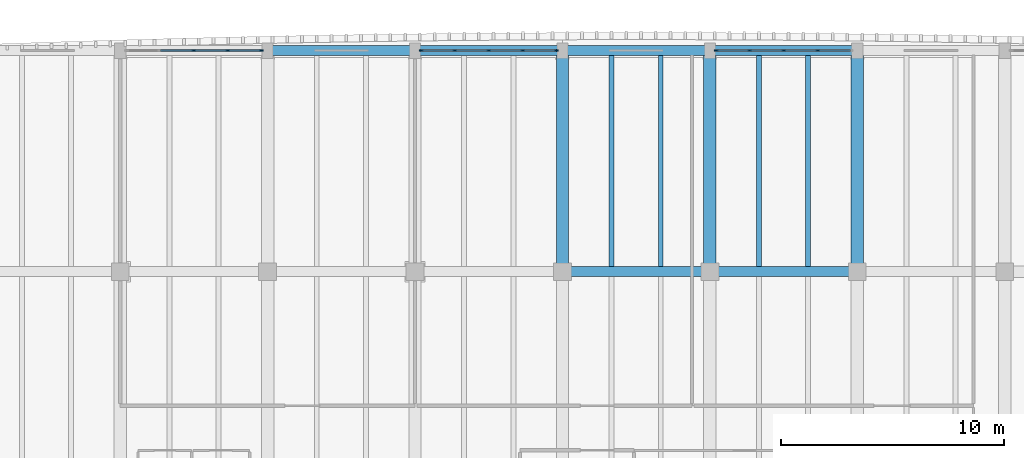
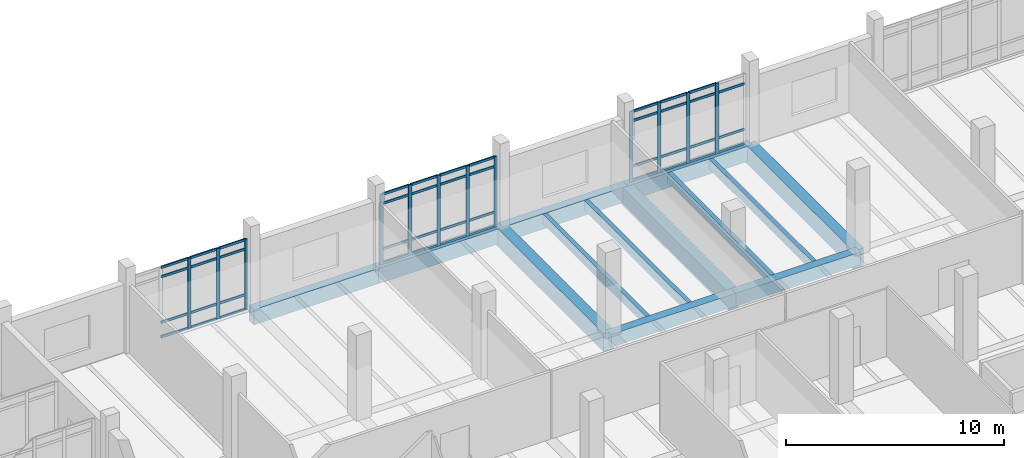
# One storey, part 61 of 125: 55 members, 13 beams, 3 elements without a shape of their own.
"""IFC4 building model written with IfcOpenShell, lengths in metres."""

from ifc_helpers import new_model, si_unit, direction, frame, origin, origin_2d, place, context, subcontext, project, spatial, rectangle, extrude, material, material_profile, profile_set, type_object, element, aggregate, save


model = new_model("IFC4")

# Units and contexts
model_context = context("Model", 3, precision=1e-05, world=origin(), true_north=direction((0.0, 1.0)))
body_context = subcontext(model_context, "Body", "Model", "MODEL_VIEW")
ifc_project = project(units=[si_unit("LENGTHUNIT", "METRE"), si_unit("AREAUNIT", "SQUARE_METRE"), si_unit("VOLUMEUNIT", "CUBIC_METRE"), si_unit("PLANEANGLEUNIT", "RADIAN"), si_unit("MASSUNIT", "GRAM", prefix="KILO")], contexts=[model_context])

# Site, building, storey
site_placement = place(None, origin())
site = spatial("IfcSite", under=ifc_project, at=site_placement, CompositionType="ELEMENT")
building_placement = place(site_placement, origin())
building = spatial("IfcBuilding", under=site, at=building_placement, Name="Dornvale Research Institute", CompositionType="ELEMENT")
storey_placement = place(building_placement, frame((0.0, 0.0, 5.39990234375)))
storey = spatial("IfcBuildingStorey", under=building, at=storey_placement, Name="L01", CompositionType="ELEMENT", Elevation=5.39990234375)

# Beams
ifc_material_1 = material(Name="Concrete f'c 45 MPa (C35/45)", Category="concrete")
ifc_material_profile_1 = material_profile(ifc_material_1, rectangle(XDim=0.449951171875, YDim=0.715087890625, at=origin_2d()), Name="RC 450x715")
ifc_profile_set_1 = profile_set([ifc_material_profile_1], Name="Concrete f'c 45 MPa (C35/45)")
beam_type_1 = type_object("IfcBeamType", Name="Beam_RC450x715_Lab", PredefinedType="BEAM", material=ifc_profile_set_1)
beam_1_placement = place(storey_placement, frame((145.199951171875, 112.199951171875, -0.357421875), z_axis=(1.0, 0.0, 0.0), x_axis=(0.0, 1.0, 0.0)))
element("IfcBeam", 1, at=beam_1_placement, inside=storey, type_object=beam_type_1, Name="L01 primary girder #376", PredefinedType="BEAM", context=body_context, shape_type="SweptSolid", body=[
    extrude(rectangle(XDim=0.449951171875, YDim=0.715087890625, at=origin_2d()), origin(), (0.0, 0.0, 1.0), 6.60009765625),
])
beam_2_placement = place(storey_placement, frame((151.800048828125, 112.199951171875, -0.357421875), z_axis=(1.0, 0.0, 0.0), x_axis=(0.0, 1.0, 0.0)))
element("IfcBeam", 2, at=beam_2_placement, inside=storey, type_object=beam_type_1, Name="L01 primary girder #377", PredefinedType="BEAM", context=body_context, shape_type="SweptSolid", body=[
    extrude(rectangle(XDim=0.449951171875, YDim=0.715087890625, at=origin_2d()), origin(), (0.0, 0.0, 1.0), 6.599853515625),
])
ifc_material_2 = material(Name="Concrete f'c 45 MPa (C35/45)", Category="concrete")
ifc_material_profile_2 = material_profile(ifc_material_2, rectangle(XDim=0.550048828125, YDim=1.0, at=origin_2d()), Name="RC 550x1000")
ifc_profile_set_2 = profile_set([ifc_material_profile_2], Name="Concrete f'c 45 MPa (C35/45)")
beam_type_2 = type_object("IfcBeamType", Name="Beam_RC550x1000_Girder", PredefinedType="BEAM", material=ifc_profile_set_2)
for number, where, z_axis, x_axis, name in (
    (3, (145.199951171875, 112.199951171875, -0.5), (0.0, 1.0, 0.0), (-1.0, 0.0, 0.0), "L01 transverse girder #403"),
    (4, (151.800048828125, 112.199951171875, -0.5), (0.0, 1.0, 0.0), (-1.0, 0.0, 0.0), "L01 transverse girder #406"),
    (5, (158.39990234375, 112.199951171875, -0.5), (0.0, 1.0, 0.0), (-1.0, 0.0, 0.0), "L01 transverse girder #408"),
):
    element("IfcBeam", number, at=place(storey_placement, frame(where, z_axis=z_axis, x_axis=x_axis)), inside=storey, type_object=beam_type_2, Name=name, PredefinedType="BEAM", context=body_context, shape_type="SweptSolid", body=[
        extrude(rectangle(XDim=0.550048828125, YDim=1.0, at=origin_2d()), origin(), (0.0, 0.0, 1.0), 9.900146484375),
    ])
ifc_material_3 = material(Name="Concrete f'c 45 MPa (C35/45)", Category="concrete")
ifc_material_profile_3 = material_profile(ifc_material_3, rectangle(XDim=0.219970703125, YDim=0.534912109375, at=origin_2d()), Name="RC 220x535")
ifc_profile_set_3 = profile_set([ifc_material_profile_3], Name="Concrete f'c 45 MPa (C35/45)")
beam_type_3 = type_object("IfcBeamType", Name="Joist_RC220x535_Waffle", PredefinedType="JOIST", material=ifc_profile_set_3)
for number, where, z_axis, x_axis, name in (
    (6, (147.39990234375, 112.425048828125, -0.267333984375), (0.0, 1.0, 0.0), (-1.0, 0.0, 0.0), "L01 laboratory waffle joist #198"),
    (7, (149.60009765625, 112.425048828125, -0.267333984375), (0.0, 1.0, 0.0), (-1.0, 0.0, 0.0), "L01 laboratory waffle joist #199"),
    (8, (154.0, 112.425048828125, -0.267333984375), (0.0, 1.0, 0.0), (-1.0, 0.0, 0.0), "L01 laboratory waffle joist #202"),
    (9, (156.199951171875, 112.425048828125, -0.267333984375), (0.0, 1.0, 0.0), (-1.0, 0.0, 0.0), "L01 laboratory waffle joist #203"),
):
    element("IfcBeam", number, at=place(storey_placement, frame(where, z_axis=z_axis, x_axis=x_axis)), inside=storey, type_object=beam_type_3, Name=name, PredefinedType="JOIST", context=body_context, shape_type="SweptSolid", body=[
        extrude(rectangle(XDim=0.219970703125, YDim=0.534912109375, at=origin_2d()), origin(), (0.0, 0.0, 1.0), 9.449951171875),
    ])

# Curtain wall, members
ifc_material_4 = material(Name="Low-E Argon Double Insulating Glazing Unit", Category="glass")
curtain_wall_type = type_object("IfcCurtainWallType", Name="UnitisedCurtainWall_V4_6100x3950", PredefinedType="USERDEFINED", material=ifc_material_4)
curtain_wall_1_placement = place(storey_placement, origin())
curtain_wall_1 = element("IfcCurtainWall", 10, at=curtain_wall_1_placement, inside=storey, type_object=curtain_wall_type, Name="L01 V4 unitised curtain wall CW-11 #73", ObjectType="UNITISED CURTAIN WALL", PredefinedType="USERDEFINED")
ifc_material_5 = material(Name="Anodized Aluminum AA 6063-T6 Thermally Broken Frame", Category="aluminium")
ifc_material_profile_4 = material_profile(ifc_material_5, rectangle(XDim=0.06494140625, YDim=0.179931640625, at=origin_2d()), Name="ALU MULLION 65x180")
ifc_profile_set_4 = profile_set([ifc_material_profile_4], Name="Anodized Aluminum AA 6063-T6 Thermally Broken Frame")
member_type_1 = type_object("IfcMemberType", Name="Mullion_CW_65x180", PredefinedType="MULLION", material=ifc_profile_set_4)
member_1_placement = place(storey_placement, frame((128.699951171875, 122.10009765625, 0.0), z_axis=(0.0, 0.0, 1.0), x_axis=(0.0, 1.0, 0.0)))
member_1 = element("IfcMember", 11, at=member_1_placement, type_object=member_type_1, Name="CW-11 mullion 3", PredefinedType="MULLION", context=body_context, shape_type="SweptSolid", body=[
    extrude(rectangle(XDim=0.06494140625, YDim=0.179931640625, at=origin_2d()), origin(), (0.0, 0.0, 1.0), 3.9501953125),
])
member_2_placement = place(storey_placement, frame((130.22509765625, 122.10009765625, 0.0), z_axis=(0.0, 0.0, 1.0), x_axis=(0.0, 1.0, 0.0)))
member_2 = element("IfcMember", 12, at=member_2_placement, type_object=member_type_1, Name="CW-11 mullion 4", PredefinedType="MULLION", context=body_context, shape_type="SweptSolid", body=[
    extrude(rectangle(XDim=0.06494140625, YDim=0.179931640625, at=origin_2d()), origin(), (0.0, 0.0, 1.0), 3.9501953125),
])
member_3_placement = place(storey_placement, frame((131.717529296875, 122.10009765625, 0.0), z_axis=(0.0, 0.0, 1.0), x_axis=(0.0, 1.0, 0.0)))
member_3 = element("IfcMember", 13, at=member_3_placement, type_object=member_type_1, Name="CW-11 mullion 5", PredefinedType="MULLION", context=body_context, shape_type="SweptSolid", body=[
    extrude(rectangle(XDim=0.06494140625, YDim=0.179931640625, at=origin_2d()), origin(), (0.0, 0.0, 1.0), 3.9501953125),
])

curtain_wall_2_placement = place(storey_placement, origin())
curtain_wall_2 = element("IfcCurtainWall", 14, at=curtain_wall_2_placement, inside=storey, type_object=curtain_wall_type, Name="L01 V4 unitised curtain wall CW-11 #74", ObjectType="UNITISED CURTAIN WALL", PredefinedType="USERDEFINED")
member_4_placement = place(storey_placement, frame((138.882568359375, 122.10009765625, 0.0), z_axis=(0.0, 0.0, 1.0), x_axis=(0.0, 1.0, 0.0)))
member_4 = element("IfcMember", 15, at=member_4_placement, type_object=member_type_1, Name="CW-11 mullion 1", PredefinedType="MULLION", context=body_context, shape_type="SweptSolid", body=[
    extrude(rectangle(XDim=0.06494140625, YDim=0.179931640625, at=origin_2d()), origin(), (0.0, 0.0, 1.0), 3.9501953125),
])
member_5_placement = place(storey_placement, frame((140.375, 122.10009765625, 0.0), z_axis=(0.0, 0.0, 1.0), x_axis=(0.0, 1.0, 0.0)))
member_5 = element("IfcMember", 16, at=member_5_placement, type_object=member_type_1, Name="CW-11 mullion 2", PredefinedType="MULLION", context=body_context, shape_type="SweptSolid", body=[
    extrude(rectangle(XDim=0.06494140625, YDim=0.179931640625, at=origin_2d()), origin(), (0.0, 0.0, 1.0), 3.9501953125),
])
member_6_placement = place(storey_placement, frame((141.89990234375, 122.10009765625, 0.0), z_axis=(0.0, 0.0, 1.0), x_axis=(0.0, 1.0, 0.0)))
member_6 = element("IfcMember", 17, at=member_6_placement, type_object=member_type_1, Name="CW-11 mullion 3", PredefinedType="MULLION", context=body_context, shape_type="SweptSolid", body=[
    extrude(rectangle(XDim=0.06494140625, YDim=0.179931640625, at=origin_2d()), origin(), (0.0, 0.0, 1.0), 3.9501953125),
])
member_7_placement = place(storey_placement, frame((143.425048828125, 122.10009765625, 0.0), z_axis=(0.0, 0.0, 1.0), x_axis=(0.0, 1.0, 0.0)))
member_7 = element("IfcMember", 18, at=member_7_placement, type_object=member_type_1, Name="CW-11 mullion 4", PredefinedType="MULLION", context=body_context, shape_type="SweptSolid", body=[
    extrude(rectangle(XDim=0.06494140625, YDim=0.179931640625, at=origin_2d()), origin(), (0.0, 0.0, 1.0), 3.9501953125),
])
member_8_placement = place(storey_placement, frame((144.91748046875, 122.10009765625, 0.0), z_axis=(0.0, 0.0, 1.0), x_axis=(0.0, 1.0, 0.0)))
member_8 = element("IfcMember", 19, at=member_8_placement, type_object=member_type_1, Name="CW-11 mullion 5", PredefinedType="MULLION", context=body_context, shape_type="SweptSolid", body=[
    extrude(rectangle(XDim=0.06494140625, YDim=0.179931640625, at=origin_2d()), origin(), (0.0, 0.0, 1.0), 3.9501953125),
])

curtain_wall_3_placement = place(storey_placement, origin())
curtain_wall_3 = element("IfcCurtainWall", 20, at=curtain_wall_3_placement, inside=storey, type_object=curtain_wall_type, Name="L01 V4 unitised curtain wall CW-11 #75", ObjectType="UNITISED CURTAIN WALL", PredefinedType="USERDEFINED")
member_9_placement = place(storey_placement, frame((152.08251953125, 122.10009765625, 0.0), z_axis=(0.0, 0.0, 1.0), x_axis=(0.0, 1.0, 0.0)))
member_9 = element("IfcMember", 21, at=member_9_placement, type_object=member_type_1, Name="CW-11 mullion 1", PredefinedType="MULLION", context=body_context, shape_type="SweptSolid", body=[
    extrude(rectangle(XDim=0.06494140625, YDim=0.179931640625, at=origin_2d()), origin(), (0.0, 0.0, 1.0), 3.9501953125),
])
member_10_placement = place(storey_placement, frame((153.574951171875, 122.10009765625, 0.0), z_axis=(0.0, 0.0, 1.0), x_axis=(0.0, 1.0, 0.0)))
member_10 = element("IfcMember", 22, at=member_10_placement, type_object=member_type_1, Name="CW-11 mullion 2", PredefinedType="MULLION", context=body_context, shape_type="SweptSolid", body=[
    extrude(rectangle(XDim=0.06494140625, YDim=0.179931640625, at=origin_2d()), origin(), (0.0, 0.0, 1.0), 3.9501953125),
])
member_11_placement = place(storey_placement, frame((155.10009765625, 122.10009765625, 0.0), z_axis=(0.0, 0.0, 1.0), x_axis=(0.0, 1.0, 0.0)))
member_11 = element("IfcMember", 23, at=member_11_placement, type_object=member_type_1, Name="CW-11 mullion 3", PredefinedType="MULLION", context=body_context, shape_type="SweptSolid", body=[
    extrude(rectangle(XDim=0.06494140625, YDim=0.179931640625, at=origin_2d()), origin(), (0.0, 0.0, 1.0), 3.9501953125),
])
member_12_placement = place(storey_placement, frame((156.625, 122.10009765625, 0.0), z_axis=(0.0, 0.0, 1.0), x_axis=(0.0, 1.0, 0.0)))
member_12 = element("IfcMember", 24, at=member_12_placement, type_object=member_type_1, Name="CW-11 mullion 4", PredefinedType="MULLION", context=body_context, shape_type="SweptSolid", body=[
    extrude(rectangle(XDim=0.06494140625, YDim=0.179931640625, at=origin_2d()), origin(), (0.0, 0.0, 1.0), 3.9501953125),
])

# Beams
ifc_material_6 = material(Name="Concrete f'c 45 MPa (C35/45)", Category="concrete")
ifc_material_profile_5 = material_profile(ifc_material_6, rectangle(XDim=0.449951171875, YDim=0.85009765625, at=origin_2d()), Name="RC 450x850")
ifc_profile_set_5 = profile_set([ifc_material_profile_5], Name="Concrete f'c 45 MPa (C35/45)")
beam_type_4 = type_object("IfcBeamType", Name="Spandrel_RC450x850_Ext", PredefinedType="SPANDREL", material=ifc_profile_set_5)
beam_3_placement = place(storey_placement, frame((132.0, 122.10009765625, -0.4248046875), z_axis=(1.0, 0.0, 0.0), x_axis=(0.0, 1.0, 0.0)))
element("IfcBeam", 25, at=beam_3_placement, inside=storey, type_object=beam_type_4, Name="L01 perimeter spandrel #383", PredefinedType="SPANDREL", context=body_context, shape_type="SweptSolid", body=[
    extrude(rectangle(XDim=0.449951171875, YDim=0.85009765625, at=origin_2d()), origin(), (0.0, 0.0, 1.0), 6.60009765625),
])
beam_4_placement = place(storey_placement, frame((138.60009765625, 122.10009765625, -0.4248046875), z_axis=(1.0, 0.0, 0.0), x_axis=(0.0, 1.0, 0.0)))
element("IfcBeam", 26, at=beam_4_placement, inside=storey, type_object=beam_type_4, Name="L01 perimeter spandrel #384", PredefinedType="SPANDREL", context=body_context, shape_type="SweptSolid", body=[
    extrude(rectangle(XDim=0.449951171875, YDim=0.85009765625, at=origin_2d()), origin(), (0.0, 0.0, 1.0), 6.599853515625),
])
beam_5_placement = place(storey_placement, frame((145.199951171875, 122.10009765625, -0.4248046875), z_axis=(1.0, 0.0, 0.0), x_axis=(0.0, 1.0, 0.0)))
element("IfcBeam", 27, at=beam_5_placement, inside=storey, type_object=beam_type_4, Name="L01 perimeter spandrel #385", PredefinedType="SPANDREL", context=body_context, shape_type="SweptSolid", body=[
    extrude(rectangle(XDim=0.449951171875, YDim=0.85009765625, at=origin_2d()), origin(), (0.0, 0.0, 1.0), 6.60009765625),
])
beam_6_placement = place(storey_placement, frame((151.800048828125, 122.10009765625, -0.4248046875), z_axis=(1.0, 0.0, 0.0), x_axis=(0.0, 1.0, 0.0)))
element("IfcBeam", 28, at=beam_6_placement, inside=storey, type_object=beam_type_4, Name="L01 perimeter spandrel #386", PredefinedType="SPANDREL", context=body_context, shape_type="SweptSolid", body=[
    extrude(rectangle(XDim=0.449951171875, YDim=0.85009765625, at=origin_2d()), origin(), (0.0, 0.0, 1.0), 6.599853515625),
])

# Member
ifc_material_7 = material(Name="Anodized Aluminum AA 6063-T6 Thermally Broken Frame", Category="aluminium")
ifc_material_profile_6 = material_profile(ifc_material_7, rectangle(XDim=0.06494140625, YDim=0.135009765625, at=origin_2d()), Name="ALU TRANSOM 65x135")
ifc_profile_set_6 = profile_set([ifc_material_profile_6], Name="Anodized Aluminum AA 6063-T6 Thermally Broken Frame")
member_type_2 = type_object("IfcMemberType", Name="Transom_CW_65x135", PredefinedType="USERDEFINED", material=ifc_profile_set_6)
member_13_placement = place(storey_placement, frame((127.20751953125, 122.10009765625, 0.03271484375), z_axis=(1.0, 0.0, 0.0), x_axis=(0.0, 1.0, 0.0)))
member_13 = element("IfcMember", 29, at=member_13_placement, type_object=member_type_2, Name="CW-11 transom 2.1", ObjectType="TRANSOM", PredefinedType="USERDEFINED", context=body_context, shape_type="SweptSolid", body=[
    extrude(rectangle(XDim=0.06494140625, YDim=0.135009765625, at=origin_2d()), origin(), (0.0, 0.0, 1.0), 1.4599609375),
])

member_14_placement = place(storey_placement, frame((127.20751953125, 122.10009765625, 0.85009765625), z_axis=(1.0, 0.0, 0.0), x_axis=(0.0, 1.0, 0.0)))
member_14 = element("IfcMember", 30, at=member_14_placement, type_object=member_type_2, Name="CW-11 transom 2.2", ObjectType="TRANSOM", PredefinedType="USERDEFINED", context=body_context, shape_type="SweptSolid", body=[
    extrude(rectangle(XDim=0.06494140625, YDim=0.135009765625, at=origin_2d()), origin(), (0.0, 0.0, 1.0), 1.4599609375),
])

member_15_placement = place(storey_placement, frame((127.20751953125, 122.10009765625, 3.400146484375), z_axis=(1.0, 0.0, 0.0), x_axis=(0.0, 1.0, 0.0)))
member_15 = element("IfcMember", 31, at=member_15_placement, type_object=member_type_2, Name="CW-11 transom 2.3", ObjectType="TRANSOM", PredefinedType="USERDEFINED", context=body_context, shape_type="SweptSolid", body=[
    extrude(rectangle(XDim=0.06494140625, YDim=0.135009765625, at=origin_2d()), origin(), (0.0, 0.0, 1.0), 1.4599609375),
])

member_16_placement = place(storey_placement, frame((127.20751953125, 122.10009765625, 3.91748046875), z_axis=(1.0, 0.0, 0.0), x_axis=(0.0, 1.0, 0.0)))
member_16 = element("IfcMember", 32, at=member_16_placement, type_object=member_type_2, Name="CW-11 transom 2.4", ObjectType="TRANSOM", PredefinedType="USERDEFINED", context=body_context, shape_type="SweptSolid", body=[
    extrude(rectangle(XDim=0.06494140625, YDim=0.135009765625, at=origin_2d()), origin(), (0.0, 0.0, 1.0), 1.4599609375),
])

member_17_placement = place(storey_placement, frame((128.732421875, 122.10009765625, 0.03271484375), z_axis=(1.0, 0.0, 0.0), x_axis=(0.0, 1.0, 0.0)))
member_17 = element("IfcMember", 33, at=member_17_placement, type_object=member_type_2, Name="CW-11 transom 3.1", ObjectType="TRANSOM", PredefinedType="USERDEFINED", context=body_context, shape_type="SweptSolid", body=[
    extrude(rectangle(XDim=0.06494140625, YDim=0.135009765625, at=origin_2d()), origin(), (0.0, 0.0, 1.0), 1.4599609375),
])

member_18_placement = place(storey_placement, frame((128.732421875, 122.10009765625, 0.85009765625), z_axis=(1.0, 0.0, 0.0), x_axis=(0.0, 1.0, 0.0)))
member_18 = element("IfcMember", 34, at=member_18_placement, type_object=member_type_2, Name="CW-11 transom 3.2", ObjectType="TRANSOM", PredefinedType="USERDEFINED", context=body_context, shape_type="SweptSolid", body=[
    extrude(rectangle(XDim=0.06494140625, YDim=0.135009765625, at=origin_2d()), origin(), (0.0, 0.0, 1.0), 1.4599609375),
])

member_19_placement = place(storey_placement, frame((128.732421875, 122.10009765625, 3.400146484375), z_axis=(1.0, 0.0, 0.0), x_axis=(0.0, 1.0, 0.0)))
member_19 = element("IfcMember", 35, at=member_19_placement, type_object=member_type_2, Name="CW-11 transom 3.3", ObjectType="TRANSOM", PredefinedType="USERDEFINED", context=body_context, shape_type="SweptSolid", body=[
    extrude(rectangle(XDim=0.06494140625, YDim=0.135009765625, at=origin_2d()), origin(), (0.0, 0.0, 1.0), 1.4599609375),
])

member_20_placement = place(storey_placement, frame((128.732421875, 122.10009765625, 3.91748046875), z_axis=(1.0, 0.0, 0.0), x_axis=(0.0, 1.0, 0.0)))
member_20 = element("IfcMember", 36, at=member_20_placement, type_object=member_type_2, Name="CW-11 transom 3.4", ObjectType="TRANSOM", PredefinedType="USERDEFINED", context=body_context, shape_type="SweptSolid", body=[
    extrude(rectangle(XDim=0.06494140625, YDim=0.135009765625, at=origin_2d()), origin(), (0.0, 0.0, 1.0), 1.4599609375),
])

member_21_placement = place(storey_placement, frame((130.257568359375, 122.10009765625, 0.03271484375), z_axis=(1.0, 0.0, 0.0), x_axis=(0.0, 1.0, 0.0)))
member_21 = element("IfcMember", 37, at=member_21_placement, type_object=member_type_2, Name="CW-11 transom 4.1", ObjectType="TRANSOM", PredefinedType="USERDEFINED", context=body_context, shape_type="SweptSolid", body=[
    extrude(rectangle(XDim=0.06494140625, YDim=0.135009765625, at=origin_2d()), origin(), (0.0, 0.0, 1.0), 1.427490234375),
])

member_22_placement = place(storey_placement, frame((130.257568359375, 122.10009765625, 0.85009765625), z_axis=(1.0, 0.0, 0.0), x_axis=(0.0, 1.0, 0.0)))
member_22 = element("IfcMember", 38, at=member_22_placement, type_object=member_type_2, Name="CW-11 transom 4.2", ObjectType="TRANSOM", PredefinedType="USERDEFINED", context=body_context, shape_type="SweptSolid", body=[
    extrude(rectangle(XDim=0.06494140625, YDim=0.135009765625, at=origin_2d()), origin(), (0.0, 0.0, 1.0), 1.427490234375),
])

member_23_placement = place(storey_placement, frame((130.257568359375, 122.10009765625, 3.400146484375), z_axis=(1.0, 0.0, 0.0), x_axis=(0.0, 1.0, 0.0)))
member_23 = element("IfcMember", 39, at=member_23_placement, type_object=member_type_2, Name="CW-11 transom 4.3", ObjectType="TRANSOM", PredefinedType="USERDEFINED", context=body_context, shape_type="SweptSolid", body=[
    extrude(rectangle(XDim=0.06494140625, YDim=0.135009765625, at=origin_2d()), origin(), (0.0, 0.0, 1.0), 1.427490234375),
])

member_24_placement = place(storey_placement, frame((130.257568359375, 122.10009765625, 3.91748046875), z_axis=(1.0, 0.0, 0.0), x_axis=(0.0, 1.0, 0.0)))
member_24 = element("IfcMember", 40, at=member_24_placement, type_object=member_type_2, Name="CW-11 transom 4.4", ObjectType="TRANSOM", PredefinedType="USERDEFINED", context=body_context, shape_type="SweptSolid", body=[
    extrude(rectangle(XDim=0.06494140625, YDim=0.135009765625, at=origin_2d()), origin(), (0.0, 0.0, 1.0), 1.427490234375),
])

aggregate(curtain_wall_1, [member_1, member_2, member_3, member_13, member_14, member_15, member_16, member_17, member_18, member_19, member_20, member_21, member_22, member_23, member_24])

member_25_placement = place(storey_placement, frame((138.9150390625, 122.10009765625, 0.03271484375), z_axis=(1.0, 0.0, 0.0), x_axis=(0.0, 1.0, 0.0)))
member_25 = element("IfcMember", 41, at=member_25_placement, type_object=member_type_2, Name="CW-11 transom 1.1", ObjectType="TRANSOM", PredefinedType="USERDEFINED", context=body_context, shape_type="SweptSolid", body=[
    extrude(rectangle(XDim=0.06494140625, YDim=0.135009765625, at=origin_2d()), origin(), (0.0, 0.0, 1.0), 1.427490234375),
])

member_26_placement = place(storey_placement, frame((138.9150390625, 122.10009765625, 0.85009765625), z_axis=(1.0, 0.0, 0.0), x_axis=(0.0, 1.0, 0.0)))
member_26 = element("IfcMember", 42, at=member_26_placement, type_object=member_type_2, Name="CW-11 transom 1.2", ObjectType="TRANSOM", PredefinedType="USERDEFINED", context=body_context, shape_type="SweptSolid", body=[
    extrude(rectangle(XDim=0.06494140625, YDim=0.135009765625, at=origin_2d()), origin(), (0.0, 0.0, 1.0), 1.427490234375),
])

member_27_placement = place(storey_placement, frame((138.9150390625, 122.10009765625, 3.400146484375), z_axis=(1.0, 0.0, 0.0), x_axis=(0.0, 1.0, 0.0)))
member_27 = element("IfcMember", 43, at=member_27_placement, type_object=member_type_2, Name="CW-11 transom 1.3", ObjectType="TRANSOM", PredefinedType="USERDEFINED", context=body_context, shape_type="SweptSolid", body=[
    extrude(rectangle(XDim=0.06494140625, YDim=0.135009765625, at=origin_2d()), origin(), (0.0, 0.0, 1.0), 1.427490234375),
])

member_28_placement = place(storey_placement, frame((138.9150390625, 122.10009765625, 3.91748046875), z_axis=(1.0, 0.0, 0.0), x_axis=(0.0, 1.0, 0.0)))
member_28 = element("IfcMember", 44, at=member_28_placement, type_object=member_type_2, Name="CW-11 transom 1.4", ObjectType="TRANSOM", PredefinedType="USERDEFINED", context=body_context, shape_type="SweptSolid", body=[
    extrude(rectangle(XDim=0.06494140625, YDim=0.135009765625, at=origin_2d()), origin(), (0.0, 0.0, 1.0), 1.427490234375),
])

member_29_placement = place(storey_placement, frame((140.407470703125, 122.10009765625, 0.03271484375), z_axis=(1.0, 0.0, 0.0), x_axis=(0.0, 1.0, 0.0)))
member_29 = element("IfcMember", 45, at=member_29_placement, type_object=member_type_2, Name="CW-11 transom 2.1", ObjectType="TRANSOM", PredefinedType="USERDEFINED", context=body_context, shape_type="SweptSolid", body=[
    extrude(rectangle(XDim=0.06494140625, YDim=0.135009765625, at=origin_2d()), origin(), (0.0, 0.0, 1.0), 1.4599609375),
])

member_30_placement = place(storey_placement, frame((140.407470703125, 122.10009765625, 0.85009765625), z_axis=(1.0, 0.0, 0.0), x_axis=(0.0, 1.0, 0.0)))
member_30 = element("IfcMember", 46, at=member_30_placement, type_object=member_type_2, Name="CW-11 transom 2.2", ObjectType="TRANSOM", PredefinedType="USERDEFINED", context=body_context, shape_type="SweptSolid", body=[
    extrude(rectangle(XDim=0.06494140625, YDim=0.135009765625, at=origin_2d()), origin(), (0.0, 0.0, 1.0), 1.4599609375),
])

member_31_placement = place(storey_placement, frame((140.407470703125, 122.10009765625, 3.400146484375), z_axis=(1.0, 0.0, 0.0), x_axis=(0.0, 1.0, 0.0)))
member_31 = element("IfcMember", 47, at=member_31_placement, type_object=member_type_2, Name="CW-11 transom 2.3", ObjectType="TRANSOM", PredefinedType="USERDEFINED", context=body_context, shape_type="SweptSolid", body=[
    extrude(rectangle(XDim=0.06494140625, YDim=0.135009765625, at=origin_2d()), origin(), (0.0, 0.0, 1.0), 1.4599609375),
])

member_32_placement = place(storey_placement, frame((140.407470703125, 122.10009765625, 3.91748046875), z_axis=(1.0, 0.0, 0.0), x_axis=(0.0, 1.0, 0.0)))
member_32 = element("IfcMember", 48, at=member_32_placement, type_object=member_type_2, Name="CW-11 transom 2.4", ObjectType="TRANSOM", PredefinedType="USERDEFINED", context=body_context, shape_type="SweptSolid", body=[
    extrude(rectangle(XDim=0.06494140625, YDim=0.135009765625, at=origin_2d()), origin(), (0.0, 0.0, 1.0), 1.4599609375),
])

member_33_placement = place(storey_placement, frame((141.9326171875, 122.10009765625, 0.03271484375), z_axis=(1.0, 0.0, 0.0), x_axis=(0.0, 1.0, 0.0)))
member_33 = element("IfcMember", 49, at=member_33_placement, type_object=member_type_2, Name="CW-11 transom 3.1", ObjectType="TRANSOM", PredefinedType="USERDEFINED", context=body_context, shape_type="SweptSolid", body=[
    extrude(rectangle(XDim=0.06494140625, YDim=0.135009765625, at=origin_2d()), origin(), (0.0, 0.0, 1.0), 1.4599609375),
])

member_34_placement = place(storey_placement, frame((141.9326171875, 122.10009765625, 0.85009765625), z_axis=(1.0, 0.0, 0.0), x_axis=(0.0, 1.0, 0.0)))
member_34 = element("IfcMember", 50, at=member_34_placement, type_object=member_type_2, Name="CW-11 transom 3.2", ObjectType="TRANSOM", PredefinedType="USERDEFINED", context=body_context, shape_type="SweptSolid", body=[
    extrude(rectangle(XDim=0.06494140625, YDim=0.135009765625, at=origin_2d()), origin(), (0.0, 0.0, 1.0), 1.4599609375),
])

member_35_placement = place(storey_placement, frame((141.9326171875, 122.10009765625, 3.400146484375), z_axis=(1.0, 0.0, 0.0), x_axis=(0.0, 1.0, 0.0)))
member_35 = element("IfcMember", 51, at=member_35_placement, type_object=member_type_2, Name="CW-11 transom 3.3", ObjectType="TRANSOM", PredefinedType="USERDEFINED", context=body_context, shape_type="SweptSolid", body=[
    extrude(rectangle(XDim=0.06494140625, YDim=0.135009765625, at=origin_2d()), origin(), (0.0, 0.0, 1.0), 1.4599609375),
])

member_36_placement = place(storey_placement, frame((141.9326171875, 122.10009765625, 3.91748046875), z_axis=(1.0, 0.0, 0.0), x_axis=(0.0, 1.0, 0.0)))
member_36 = element("IfcMember", 52, at=member_36_placement, type_object=member_type_2, Name="CW-11 transom 3.4", ObjectType="TRANSOM", PredefinedType="USERDEFINED", context=body_context, shape_type="SweptSolid", body=[
    extrude(rectangle(XDim=0.06494140625, YDim=0.135009765625, at=origin_2d()), origin(), (0.0, 0.0, 1.0), 1.4599609375),
])

member_37_placement = place(storey_placement, frame((143.45751953125, 122.10009765625, 0.03271484375), z_axis=(1.0, 0.0, 0.0), x_axis=(0.0, 1.0, 0.0)))
member_37 = element("IfcMember", 53, at=member_37_placement, type_object=member_type_2, Name="CW-11 transom 4.1", ObjectType="TRANSOM", PredefinedType="USERDEFINED", context=body_context, shape_type="SweptSolid", body=[
    extrude(rectangle(XDim=0.06494140625, YDim=0.135009765625, at=origin_2d()), origin(), (0.0, 0.0, 1.0), 1.427490234375),
])

member_38_placement = place(storey_placement, frame((143.45751953125, 122.10009765625, 0.85009765625), z_axis=(1.0, 0.0, 0.0), x_axis=(0.0, 1.0, 0.0)))
member_38 = element("IfcMember", 54, at=member_38_placement, type_object=member_type_2, Name="CW-11 transom 4.2", ObjectType="TRANSOM", PredefinedType="USERDEFINED", context=body_context, shape_type="SweptSolid", body=[
    extrude(rectangle(XDim=0.06494140625, YDim=0.135009765625, at=origin_2d()), origin(), (0.0, 0.0, 1.0), 1.427490234375),
])

member_39_placement = place(storey_placement, frame((143.45751953125, 122.10009765625, 3.400146484375), z_axis=(1.0, 0.0, 0.0), x_axis=(0.0, 1.0, 0.0)))
member_39 = element("IfcMember", 55, at=member_39_placement, type_object=member_type_2, Name="CW-11 transom 4.3", ObjectType="TRANSOM", PredefinedType="USERDEFINED", context=body_context, shape_type="SweptSolid", body=[
    extrude(rectangle(XDim=0.06494140625, YDim=0.135009765625, at=origin_2d()), origin(), (0.0, 0.0, 1.0), 1.427490234375),
])

member_40_placement = place(storey_placement, frame((143.45751953125, 122.10009765625, 3.91748046875), z_axis=(1.0, 0.0, 0.0), x_axis=(0.0, 1.0, 0.0)))
member_40 = element("IfcMember", 56, at=member_40_placement, type_object=member_type_2, Name="CW-11 transom 4.4", ObjectType="TRANSOM", PredefinedType="USERDEFINED", context=body_context, shape_type="SweptSolid", body=[
    extrude(rectangle(XDim=0.06494140625, YDim=0.135009765625, at=origin_2d()), origin(), (0.0, 0.0, 1.0), 1.427490234375),
])

aggregate(curtain_wall_2, [member_4, member_5, member_6, member_7, member_8, member_25, member_26, member_27, member_28, member_29, member_30, member_31, member_32, member_33, member_34, member_35, member_36, member_37, member_38, member_39, member_40])

member_41_placement = place(storey_placement, frame((152.114990234375, 122.10009765625, 0.03271484375), z_axis=(1.0, 0.0, 0.0), x_axis=(0.0, 1.0, 0.0)))
member_41 = element("IfcMember", 57, at=member_41_placement, type_object=member_type_2, Name="CW-11 transom 1.1", ObjectType="TRANSOM", PredefinedType="USERDEFINED", context=body_context, shape_type="SweptSolid", body=[
    extrude(rectangle(XDim=0.06494140625, YDim=0.135009765625, at=origin_2d()), origin(), (0.0, 0.0, 1.0), 1.427490234375),
])

member_42_placement = place(storey_placement, frame((152.114990234375, 122.10009765625, 0.85009765625), z_axis=(1.0, 0.0, 0.0), x_axis=(0.0, 1.0, 0.0)))
member_42 = element("IfcMember", 58, at=member_42_placement, type_object=member_type_2, Name="CW-11 transom 1.2", ObjectType="TRANSOM", PredefinedType="USERDEFINED", context=body_context, shape_type="SweptSolid", body=[
    extrude(rectangle(XDim=0.06494140625, YDim=0.135009765625, at=origin_2d()), origin(), (0.0, 0.0, 1.0), 1.427490234375),
])

member_43_placement = place(storey_placement, frame((152.114990234375, 122.10009765625, 3.400146484375), z_axis=(1.0, 0.0, 0.0), x_axis=(0.0, 1.0, 0.0)))
member_43 = element("IfcMember", 59, at=member_43_placement, type_object=member_type_2, Name="CW-11 transom 1.3", ObjectType="TRANSOM", PredefinedType="USERDEFINED", context=body_context, shape_type="SweptSolid", body=[
    extrude(rectangle(XDim=0.06494140625, YDim=0.135009765625, at=origin_2d()), origin(), (0.0, 0.0, 1.0), 1.427490234375),
])

member_44_placement = place(storey_placement, frame((152.114990234375, 122.10009765625, 3.91748046875), z_axis=(1.0, 0.0, 0.0), x_axis=(0.0, 1.0, 0.0)))
member_44 = element("IfcMember", 60, at=member_44_placement, type_object=member_type_2, Name="CW-11 transom 1.4", ObjectType="TRANSOM", PredefinedType="USERDEFINED", context=body_context, shape_type="SweptSolid", body=[
    extrude(rectangle(XDim=0.06494140625, YDim=0.135009765625, at=origin_2d()), origin(), (0.0, 0.0, 1.0), 1.427490234375),
])

member_45_placement = place(storey_placement, frame((153.607421875, 122.10009765625, 0.03271484375), z_axis=(1.0, 0.0, 0.0), x_axis=(0.0, 1.0, 0.0)))
member_45 = element("IfcMember", 61, at=member_45_placement, type_object=member_type_2, Name="CW-11 transom 2.1", ObjectType="TRANSOM", PredefinedType="USERDEFINED", context=body_context, shape_type="SweptSolid", body=[
    extrude(rectangle(XDim=0.06494140625, YDim=0.135009765625, at=origin_2d()), origin(), (0.0, 0.0, 1.0), 1.4599609375),
])

member_46_placement = place(storey_placement, frame((153.607421875, 122.10009765625, 0.85009765625), z_axis=(1.0, 0.0, 0.0), x_axis=(0.0, 1.0, 0.0)))
member_46 = element("IfcMember", 62, at=member_46_placement, type_object=member_type_2, Name="CW-11 transom 2.2", ObjectType="TRANSOM", PredefinedType="USERDEFINED", context=body_context, shape_type="SweptSolid", body=[
    extrude(rectangle(XDim=0.06494140625, YDim=0.135009765625, at=origin_2d()), origin(), (0.0, 0.0, 1.0), 1.4599609375),
])

member_47_placement = place(storey_placement, frame((153.607421875, 122.10009765625, 3.400146484375), z_axis=(1.0, 0.0, 0.0), x_axis=(0.0, 1.0, 0.0)))
member_47 = element("IfcMember", 63, at=member_47_placement, type_object=member_type_2, Name="CW-11 transom 2.3", ObjectType="TRANSOM", PredefinedType="USERDEFINED", context=body_context, shape_type="SweptSolid", body=[
    extrude(rectangle(XDim=0.06494140625, YDim=0.135009765625, at=origin_2d()), origin(), (0.0, 0.0, 1.0), 1.4599609375),
])

member_48_placement = place(storey_placement, frame((153.607421875, 122.10009765625, 3.91748046875), z_axis=(1.0, 0.0, 0.0), x_axis=(0.0, 1.0, 0.0)))
member_48 = element("IfcMember", 64, at=member_48_placement, type_object=member_type_2, Name="CW-11 transom 2.4", ObjectType="TRANSOM", PredefinedType="USERDEFINED", context=body_context, shape_type="SweptSolid", body=[
    extrude(rectangle(XDim=0.06494140625, YDim=0.135009765625, at=origin_2d()), origin(), (0.0, 0.0, 1.0), 1.4599609375),
])

member_49_placement = place(storey_placement, frame((155.132568359375, 122.10009765625, 0.03271484375), z_axis=(1.0, 0.0, 0.0), x_axis=(0.0, 1.0, 0.0)))
member_49 = element("IfcMember", 65, at=member_49_placement, type_object=member_type_2, Name="CW-11 transom 3.1", ObjectType="TRANSOM", PredefinedType="USERDEFINED", context=body_context, shape_type="SweptSolid", body=[
    extrude(rectangle(XDim=0.06494140625, YDim=0.135009765625, at=origin_2d()), origin(), (0.0, 0.0, 1.0), 1.4599609375),
])

member_50_placement = place(storey_placement, frame((155.132568359375, 122.10009765625, 0.85009765625), z_axis=(1.0, 0.0, 0.0), x_axis=(0.0, 1.0, 0.0)))
member_50 = element("IfcMember", 66, at=member_50_placement, type_object=member_type_2, Name="CW-11 transom 3.2", ObjectType="TRANSOM", PredefinedType="USERDEFINED", context=body_context, shape_type="SweptSolid", body=[
    extrude(rectangle(XDim=0.06494140625, YDim=0.135009765625, at=origin_2d()), origin(), (0.0, 0.0, 1.0), 1.4599609375),
])

member_51_placement = place(storey_placement, frame((155.132568359375, 122.10009765625, 3.400146484375), z_axis=(1.0, 0.0, 0.0), x_axis=(0.0, 1.0, 0.0)))
member_51 = element("IfcMember", 67, at=member_51_placement, type_object=member_type_2, Name="CW-11 transom 3.3", ObjectType="TRANSOM", PredefinedType="USERDEFINED", context=body_context, shape_type="SweptSolid", body=[
    extrude(rectangle(XDim=0.06494140625, YDim=0.135009765625, at=origin_2d()), origin(), (0.0, 0.0, 1.0), 1.4599609375),
])

member_52_placement = place(storey_placement, frame((155.132568359375, 122.10009765625, 3.91748046875), z_axis=(1.0, 0.0, 0.0), x_axis=(0.0, 1.0, 0.0)))
member_52 = element("IfcMember", 68, at=member_52_placement, type_object=member_type_2, Name="CW-11 transom 3.4", ObjectType="TRANSOM", PredefinedType="USERDEFINED", context=body_context, shape_type="SweptSolid", body=[
    extrude(rectangle(XDim=0.06494140625, YDim=0.135009765625, at=origin_2d()), origin(), (0.0, 0.0, 1.0), 1.4599609375),
])

member_53_placement = place(storey_placement, frame((156.657470703125, 122.10009765625, 0.03271484375), z_axis=(1.0, 0.0, 0.0), x_axis=(0.0, 1.0, 0.0)))
member_53 = element("IfcMember", 69, at=member_53_placement, type_object=member_type_2, Name="CW-11 transom 4.1", ObjectType="TRANSOM", PredefinedType="USERDEFINED", context=body_context, shape_type="SweptSolid", body=[
    extrude(rectangle(XDim=0.06494140625, YDim=0.135009765625, at=origin_2d()), origin(), (0.0, 0.0, 1.0), 1.427490234375),
])

member_54_placement = place(storey_placement, frame((156.657470703125, 122.10009765625, 0.85009765625), z_axis=(1.0, 0.0, 0.0), x_axis=(0.0, 1.0, 0.0)))
member_54 = element("IfcMember", 70, at=member_54_placement, type_object=member_type_2, Name="CW-11 transom 4.2", ObjectType="TRANSOM", PredefinedType="USERDEFINED", context=body_context, shape_type="SweptSolid", body=[
    extrude(rectangle(XDim=0.06494140625, YDim=0.135009765625, at=origin_2d()), origin(), (0.0, 0.0, 1.0), 1.427490234375),
])

member_55_placement = place(storey_placement, frame((156.657470703125, 122.10009765625, 3.400146484375), z_axis=(1.0, 0.0, 0.0), x_axis=(0.0, 1.0, 0.0)))
member_55 = element("IfcMember", 71, at=member_55_placement, type_object=member_type_2, Name="CW-11 transom 4.3", ObjectType="TRANSOM", PredefinedType="USERDEFINED", context=body_context, shape_type="SweptSolid", body=[
    extrude(rectangle(XDim=0.06494140625, YDim=0.135009765625, at=origin_2d()), origin(), (0.0, 0.0, 1.0), 1.427490234375),
])

aggregate(curtain_wall_3, [member_9, member_10, member_11, member_12, member_41, member_42, member_43, member_44, member_45, member_46, member_47, member_48, member_49, member_50, member_51, member_52, member_53, member_54, member_55])

save(model, "model.ifc")
